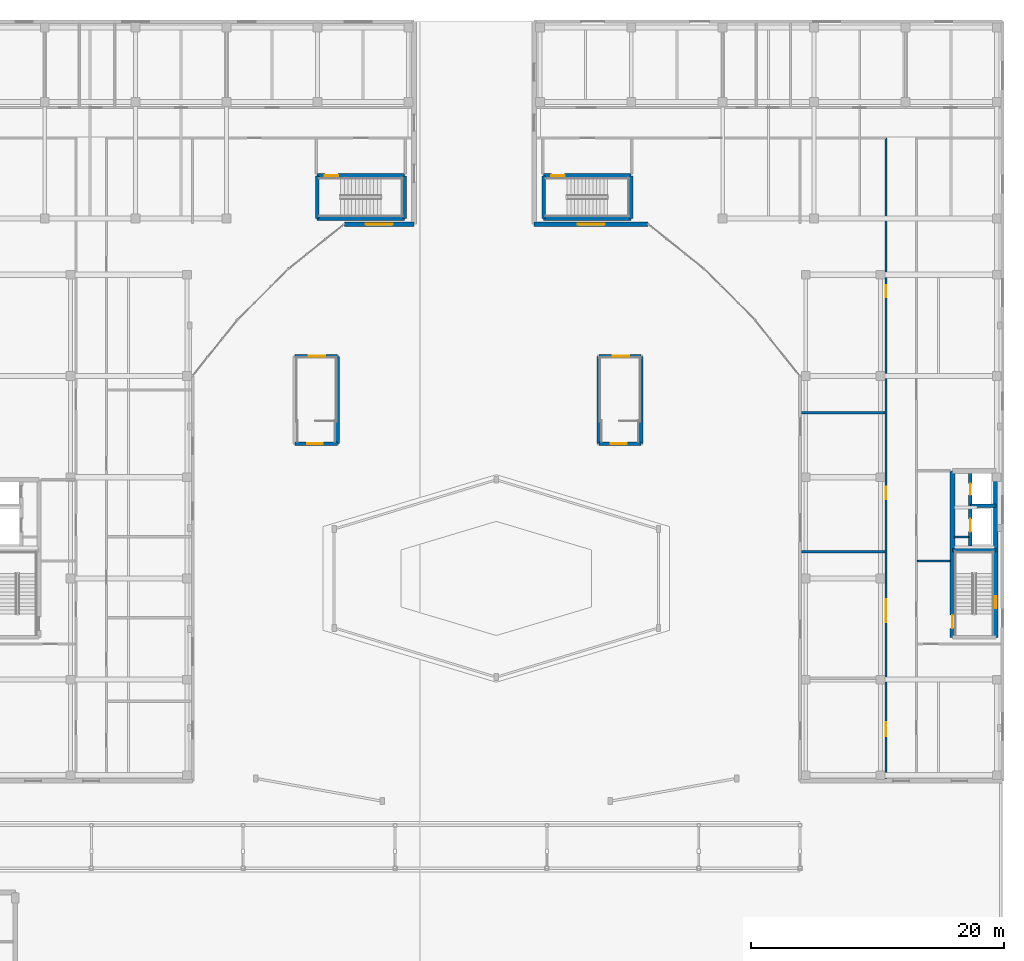
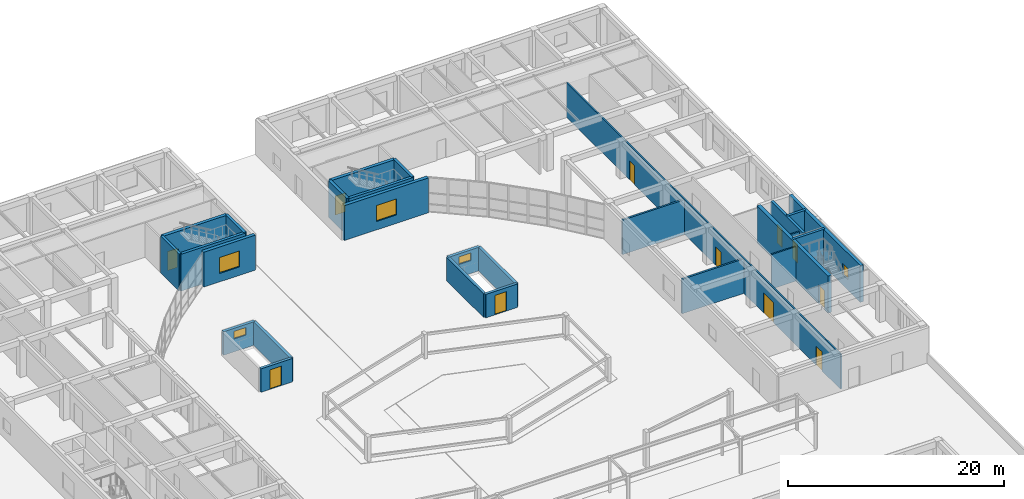
# One storey, part 89 of 114: 27 walls, 11 doors, 5 windows, 16 openings.
"""IFC4 building model written with IfcOpenShell, lengths in metres."""

from ifc_helpers import new_model, si_unit, direction, frame, frame_2d, origin, place, context, subcontext, project, spatial, rectangle, extrude, material, layer, layer_set, type_object, element, fill, save


model = new_model("IFC4")

# Units and contexts
model_context = context("Model", 3, precision=1e-05, world=origin(), true_north=direction((0.0, 1.0)))
body_context = subcontext(model_context, "Body", "Model", "MODEL_VIEW")
ifc_project = project(units=[si_unit("LENGTHUNIT", "METRE"), si_unit("AREAUNIT", "SQUARE_METRE"), si_unit("VOLUMEUNIT", "CUBIC_METRE"), si_unit("PLANEANGLEUNIT", "RADIAN"), si_unit("MASSUNIT", "GRAM", prefix="KILO")], contexts=[model_context])

# Site, building, storey
site_placement = place(None, origin())
site = spatial("IfcSite", under=ifc_project, at=site_placement, CompositionType="ELEMENT")
building_placement = place(site_placement, origin())
building = spatial("IfcBuilding", under=site, at=building_placement, Name="Keldmere Railside Commons", CompositionType="ELEMENT")
storey_placement = place(building_placement, origin())
storey = spatial("IfcBuildingStorey", under=building, at=storey_placement, Name="L00", CompositionType="ELEMENT", Elevation=0.0)

# Walls
ifc_material_1 = material(Name="Concrete H-35 (C35/45)", Category="concrete")
ifc_layer_1 = layer(ifc_material_1, 0.280029296875, Name="Core Shear Wall 280")
ifc_layer_set_1 = layer_set([ifc_layer_1], Name="Concrete H-35 (C35/45)")
wall_type_1 = type_object("IfcWallType", Name="Core Shear Wall 280", PredefinedType="SHEAR", material=ifc_layer_set_1)
wall_1_placement = place(storey_placement, frame((180.06005859375, 74.239990234375, 0.0), z_axis=(0.0, 0.0, 1.0), x_axis=(1.0, 0.0, 0.0)))
element("IfcWall", 1, at=wall_1_placement, inside=storey, type_object=wall_type_1, Name="CSW-2 COREAM-L00-0712", PredefinedType="SHEAR", context=body_context, shape_type="SweptSolid", body=[
    extrude(rectangle(XDim=3.409912109375, YDim=0.280029296875, at=frame_2d((1.705078125, 0.0))), origin(), (0.0, 0.0, 1.0), 4.159912109375),
])
wall_2_placement = place(storey_placement, frame((181.469970703125, 77.75, 0.0), z_axis=(0.0, 0.0, 1.0), x_axis=(1.0, 0.0, 0.0)))
element("IfcWall", 2, at=wall_2_placement, inside=storey, type_object=wall_type_1, Name="CSW-2 COREAL-L00-0713", PredefinedType="SHEAR", context=body_context, shape_type="SweptSolid", body=[
    extrude(rectangle(XDim=2.0, YDim=0.280029296875, at=frame_2d((1.0, 0.0))), origin(), (0.0, 0.0, 1.0), 4.159912109375),
])

# Wall, openings, doors
wall_3_placement = place(storey_placement, frame((181.469970703125, 74.550048828125, 0.0), z_axis=(0.0, 0.0, 1.0), x_axis=(0.0, 1.0, 0.0)))
wall_3 = element("IfcWall", 3, at=wall_3_placement, inside=storey, type_object=wall_type_1, Name="CSW-2 LSHA-L00-0714", PredefinedType="SHEAR", context=body_context, shape_type="SweptSolid", body=[
    extrude(rectangle(XDim=5.949951171875, YDim=0.280029296875, at=frame_2d((2.97509765625, 0.0))), origin(), (0.0, 0.0, 1.0), 4.159912109375),
])
opening_1_placement = place(wall_3_placement, frame((1.14990234375, 0.0, 0.0)))
opening_1 = element("IfcOpeningElement", 4, at=opening_1_placement, cuts=wall_3, Name="Opening LD-1", PredefinedType="OPENING", context=body_context, shape_type="SweptSolid", body=[
    extrude(rectangle(XDim=1.0, YDim=2.14990234375, at=frame_2d((0.5, 1.074951171875))), frame((0.0, 0.14990234375, 0.0), z_axis=(0.0, -1.0, 0.0), x_axis=(1.0, 0.0, 0.0)), (0.0, 0.0, 1.0), 0.300048828125),
])
opening_2_placement = place(wall_3_placement, frame((4.050048828125, 0.0, 0.0)))
opening_2 = element("IfcOpeningElement", 5, at=opening_2_placement, cuts=wall_3, Name="Opening LD-2", PredefinedType="OPENING", context=body_context, shape_type="SweptSolid", body=[
    extrude(rectangle(XDim=0.89990234375, YDim=2.14990234375, at=frame_2d((0.449951171875, 1.074951171875))), frame((0.0, 0.14990234375, 0.0), z_axis=(0.0, -1.0, 0.0), x_axis=(1.0, 0.0, 0.0)), (0.0, 0.0, 1.0), 0.300048828125),
])
ifc_material_2 = material(Name="Steel F-24 (S235)", Category="steel")
door_type_1 = type_object("IfcDoorType", Name="Firefighting Stretcher Lift Landing Door 1000x2150", OperationType="SLIDING_TO_LEFT", PredefinedType="DOOR", material=ifc_material_2)
door_1_placement = place(opening_1_placement, origin())
door_1 = element("IfcDoor", 6, at=door_1_placement, inside=storey, type_object=door_type_1, Name="LD-1 A L00", OperationType="SLIDING_TO_LEFT", OverallHeight=2.14990234375, OverallWidth=1.0, PredefinedType="DOOR", context=body_context, shape_type="SweptSolid", body=[
    extrude(rectangle(XDim=1.0, YDim=2.14990234375, at=frame_2d((0.5, 1.074951171875))), frame((0.0, 0.02490234375, 0.0), z_axis=(0.0, -1.0, 0.0), x_axis=(1.0, 0.0, 0.0)), (0.0, 0.0, 1.0), 0.050048828125),
])
fill(opening_1, door_1)
door_type_2 = type_object("IfcDoorType", Name="Passenger Lift Sliding Landing Door 900x2150", OperationType="SLIDING_TO_RIGHT", PredefinedType="DOOR", material=ifc_material_2)
door_2_placement = place(opening_2_placement, origin())
door_2 = element("IfcDoor", 7, at=door_2_placement, inside=storey, type_object=door_type_2, Name="LD-2 A L00", OperationType="SLIDING_TO_RIGHT", OverallHeight=2.14990234375, OverallWidth=0.89990234375, PredefinedType="DOOR", context=body_context, shape_type="SweptSolid", body=[
    extrude(rectangle(XDim=0.89990234375, YDim=2.14990234375, at=frame_2d((0.449951171875, 1.074951171875))), frame((0.0, 0.02490234375, 0.0), z_axis=(0.0, -1.0, 0.0), x_axis=(1.0, 0.0, 0.0)), (0.0, 0.0, 1.0), 0.050048828125),
])
fill(opening_2, door_2)

# Wall, opening, door
ifc_material_3 = material(Name="Concrete H-40 (C40/50)", Category="concrete")
ifc_layer_2 = layer(ifc_material_3, 0.3798828125, Name="Core Shear Wall 380")
ifc_layer_set_2 = layer_set([ifc_layer_2], Name="Concrete H-40 (C40/50)")
wall_type_2 = type_object("IfcWallType", Name="Core Shear Wall 380", PredefinedType="SHEAR", material=ifc_layer_set_2)
wall_4_placement = place(storey_placement, frame((180.06005859375, 67.35009765625, 0.0), z_axis=(0.0, 0.0, 1.0), x_axis=(0.0, 1.0, 0.0)))
wall_4 = element("IfcWall", 8, at=wall_4_placement, inside=storey, type_object=wall_type_2, Name="CW-CORE COREAW-L00-0708", PredefinedType="SHEAR", context=body_context, shape_type="SweptSolid", body=[
    extrude(rectangle(XDim=13.14990234375, YDim=0.3798828125, at=frame_2d((6.574951171875, 0.0))), origin(), (0.0, 0.0, 1.0), 4.159912109375),
])
opening_3_placement = place(wall_4_placement, frame((0.699951171875, 0.0, 0.0)))
opening_3 = element("IfcOpeningElement", 9, at=opening_3_placement, cuts=wall_4, Name="Opening FD-1", PredefinedType="OPENING", context=body_context, shape_type="SweptSolid", body=[
    extrude(rectangle(XDim=1.050048828125, YDim=2.14990234375, at=frame_2d((0.52490234375, 1.074951171875))), frame((0.0, 0.199951171875, 0.0), z_axis=(0.0, -1.0, 0.0), x_axis=(1.0, 0.0, 0.0)), (0.0, 0.0, 1.0), 0.39990234375),
])
door_type_3 = type_object("IfcDoorType", Name="Stair Core Fire Door 1050x2150", OperationType="NOTDEFINED", PredefinedType="DOOR", material=ifc_material_2)
door_3_placement = place(opening_3_placement, origin())
door_3 = element("IfcDoor", 10, at=door_3_placement, inside=storey, type_object=door_type_3, Name="FD-1 A1 L00", OperationType="SINGLE_SWING_LEFT", OverallHeight=2.14990234375, OverallWidth=1.050048828125, PredefinedType="DOOR", context=body_context, shape_type="SweptSolid", body=[
    extrude(rectangle(XDim=1.050048828125, YDim=2.14990234375, at=frame_2d((0.52490234375, 1.074951171875))), frame((0.0, 0.02490234375, 0.0), z_axis=(0.0, -1.0, 0.0), x_axis=(1.0, 0.0, 0.0)), (0.0, 0.0, 1.0), 0.050048828125),
])
fill(opening_3, door_3)

# Wall, openings, doors
ifc_material_4 = material(Name="Acoustic Gypsum Board Partition", Category="gypsum")
ifc_layer_3 = layer(ifc_material_4, 0.159912109375, Name="Corridor Fire Partition 160")
ifc_layer_set_3 = layer_set([ifc_layer_3], Name="Acoustic Gypsum Board Partition")
wall_type_3 = type_object("IfcWallType", Name="Corridor Fire Partition 160", PredefinedType="PARTITIONING", material=ifc_layer_set_3)
wall_5_placement = place(storey_placement, frame((174.800048828125, 56.179931640625, 0.0), z_axis=(0.0, 0.0, 1.0), x_axis=(0.0, 1.0, 0.0)))
wall_5 = element("IfcWall", 11, at=wall_5_placement, inside=storey, type_object=wall_type_3, Name="IW-2 IW-L00-1404", PredefinedType="PARTITIONING", context=body_context, shape_type="SweptSolid", body=[
    extrude(rectangle(XDim=50.6201171875, YDim=0.159912109375, at=frame_2d((25.31005859375, 0.0))), origin(), (0.0, 0.0, 1.0), 3.89501953125),
])
opening_4_placement = place(wall_5_placement, frame((3.364990234375, 0.0, 0.0)))
opening_4 = element("IfcOpeningElement", 12, at=opening_4_placement, cuts=wall_5, Name="Opening FD-2", PredefinedType="OPENING", context=body_context, shape_type="SweptSolid", body=[
    extrude(rectangle(XDim=1.10009765625, YDim=2.14990234375, at=frame_2d((0.550048828125, 1.074951171875))), frame((0.0, 0.08984375, 0.0), z_axis=(0.0, -1.0, 0.0), x_axis=(1.0, 0.0, 0.0)), (0.0, 0.0, 1.0), 0.179931640625),
])
opening_5_placement = place(wall_5_placement, frame((12.3701171875, 0.0, 0.0)))
opening_5 = element("IfcOpeningElement", 13, at=opening_5_placement, cuts=wall_5, Name="Opening FD-6", PredefinedType="OPENING", context=body_context, shape_type="SweptSolid", body=[
    extrude(rectangle(XDim=1.800048828125, YDim=2.25, at=frame_2d((0.89990234375, 1.125))), frame((0.0, 0.08984375, 0.0), z_axis=(0.0, -1.0, 0.0), x_axis=(1.0, 0.0, 0.0)), (0.0, 0.0, 1.0), 0.179931640625),
])
opening_6_placement = place(wall_5_placement, frame((22.070068359375, 0.0, 0.0)))
opening_6 = element("IfcOpeningElement", 14, at=opening_6_placement, cuts=wall_5, Name="Opening FD-9", PredefinedType="OPENING", context=body_context, shape_type="SweptSolid", body=[
    extrude(rectangle(XDim=1.0, YDim=2.10009765625, at=frame_2d((0.5, 1.050048828125))), frame((0.0, 0.08984375, 0.0), z_axis=(0.0, -1.0, 0.0), x_axis=(1.0, 0.0, 0.0)), (0.0, 0.0, 1.0), 0.179931640625),
])
opening_7_placement = place(wall_5_placement, frame((38.02490234375, 0.0, 0.0)))
opening_7 = element("IfcOpeningElement", 15, at=opening_7_placement, cuts=wall_5, Name="Opening ID-08", PredefinedType="OPENING", context=body_context, shape_type="SweptSolid", body=[
    extrude(rectangle(XDim=0.9599609375, YDim=2.14990234375, at=frame_2d((0.47998046875, 1.074951171875))), frame((0.0, 0.08984375, 0.0), z_axis=(0.0, -1.0, 0.0), x_axis=(1.0, 0.0, 0.0)), (0.0, 0.0, 1.0), 0.179931640625),
])
door_type_4 = type_object("IfcDoorType", Name="Firefighting Lobby Fire Door 1100x2150", OperationType="NOTDEFINED", PredefinedType="DOOR", material=ifc_material_2)
door_4_placement = place(opening_4_placement, origin())
door_4 = element("IfcDoor", 16, at=door_4_placement, inside=storey, type_object=door_type_4, Name="FD-2 IDR-L00-1262", OperationType="SINGLE_SWING_RIGHT", OverallHeight=2.14990234375, OverallWidth=1.10009765625, PredefinedType="DOOR", context=body_context, shape_type="SweptSolid", body=[
    extrude(rectangle(XDim=1.10009765625, YDim=2.14990234375, at=frame_2d((0.550048828125, 1.074951171875))), frame((0.0, 0.02490234375, 0.0), z_axis=(0.0, -1.0, 0.0), x_axis=(1.0, 0.0, 0.0)), (0.0, 0.0, 1.0), 0.050048828125),
])
fill(opening_4, door_4)
ifc_material_5 = material(Name="Engineered Oak Timber", Category="wood")
door_type_5 = type_object("IfcDoorType", Name="Study & Meeting Room Door 960x2150", OperationType="NOTDEFINED", PredefinedType="DOOR", material=ifc_material_5)
door_5_placement = place(opening_7_placement, origin())
door_5 = element("IfcDoor", 17, at=door_5_placement, inside=storey, type_object=door_type_5, Name="ID-08 IDR-L00-1265", OperationType="SINGLE_SWING_LEFT", OverallHeight=2.14990234375, OverallWidth=0.9599609375, PredefinedType="DOOR", context=body_context, shape_type="SweptSolid", body=[
    extrude(rectangle(XDim=0.9599609375, YDim=2.14990234375, at=frame_2d((0.47998046875, 1.074951171875))), frame((0.0, 0.02490234375, 0.0), z_axis=(0.0, -1.0, 0.0), x_axis=(1.0, 0.0, 0.0)), (0.0, 0.0, 1.0), 0.050048828125),
])
fill(opening_7, door_5)
door_type_6 = type_object("IfcDoorType", Name="Transformer & Pump Room Double Fire Door 1800x2250", OperationType="DOUBLE_DOOR_SINGLE_SWING", PredefinedType="DOOR", material=ifc_material_2)
door_6_placement = place(opening_5_placement, origin())
door_6 = element("IfcDoor", 18, at=door_6_placement, inside=storey, type_object=door_type_6, Name="FD-6 IDR-L00-1263", OperationType="DOUBLE_DOOR_SINGLE_SWING", OverallHeight=2.25, OverallWidth=1.800048828125, PredefinedType="DOOR", context=body_context, shape_type="SweptSolid", body=[
    extrude(rectangle(XDim=1.800048828125, YDim=2.25, at=frame_2d((0.89990234375, 1.125))), frame((0.0, 0.02490234375, 0.0), z_axis=(0.0, -1.0, 0.0), x_axis=(1.0, 0.0, 0.0)), (0.0, 0.0, 1.0), 0.050048828125),
])
fill(opening_5, door_6)
door_type_7 = type_object("IfcDoorType", Name="Waste & Storage Fire Door 1000x2100", OperationType="NOTDEFINED", PredefinedType="DOOR", material=ifc_material_2)
door_7_placement = place(opening_6_placement, origin())
door_7 = element("IfcDoor", 19, at=door_7_placement, inside=storey, type_object=door_type_7, Name="FD-9 IDR-L00-1264", OperationType="SINGLE_SWING_RIGHT", OverallHeight=2.10009765625, OverallWidth=1.0, PredefinedType="DOOR", context=body_context, shape_type="SweptSolid", body=[
    extrude(rectangle(XDim=1.0, YDim=2.10009765625, at=frame_2d((0.5, 1.050048828125))), frame((0.0, 0.02490234375, 0.0), z_axis=(0.0, -1.0, 0.0), x_axis=(1.0, 0.0, 0.0)), (0.0, 0.0, 1.0), 0.050048828125),
])
fill(opening_6, door_7)

# Wall, opening, window
ifc_layer_4 = layer(ifc_material_1, 0.360107421875, Name="Exterior Shear Wall 360")
ifc_layer_set_4 = layer_set([ifc_layer_4], Name="Concrete H-35 (C35/45)")
wall_type_4 = type_object("IfcWallType", Name="Exterior Shear Wall 360", PredefinedType="SHEAR", material=ifc_layer_set_4)
wall_6_placement = place(storey_placement, frame((137.5, 100.0, 0.0), z_axis=(0.0, 0.0, 1.0), x_axis=(-1.0, 0.0, 0.0)))
wall_6 = element("IfcWall", 20, at=wall_6_placement, inside=storey, type_object=wall_type_4, Name="ESW-1 EXTB-L00-0578", PredefinedType="SHEAR", context=body_context, shape_type="SweptSolid", body=[
    extrude(rectangle(XDim=5.5, YDim=0.360107421875, at=frame_2d((2.75, 0.0))), origin(), (0.0, 0.0, 1.0), 3.93994140625),
])
opening_8_placement = place(wall_6_placement, frame((1.675048828125, 0.0, 0.949951171875)))
opening_8 = element("IfcOpeningElement", 21, at=opening_8_placement, cuts=wall_6, Name="Opening WN-41", PredefinedType="OPENING", context=body_context, shape_type="SweptSolid", body=[
    extrude(rectangle(XDim=2.14990234375, YDim=1.800048828125, at=frame_2d((1.074951171875, 0.89990234375))), frame((0.0, 0.18994140625, 0.0), z_axis=(0.0, -1.0, 0.0), x_axis=(1.0, 0.0, 0.0)), (0.0, 0.0, 1.0), 0.380126953125),
])
ifc_material_6 = material(Name="Low-E Insulated Double Glazing", Category="glass")
window_type_1 = type_object("IfcWindowType", Name="North Plinth Gallery Window 2150x1800", PartitioningType="SINGLE_PANEL", PredefinedType="WINDOW", material=ifc_material_6)
window_1_placement = place(opening_8_placement, origin())
window_1 = element("IfcWindow", 22, at=window_1_placement, inside=storey, type_object=window_type_1, Name="WN-41 WIN-L00-0352", OverallHeight=1.800048828125, OverallWidth=2.14990234375, PartitioningType="SINGLE_PANEL", PredefinedType="WINDOW", context=body_context, shape_type="SweptSolid", body=[
    extrude(rectangle(XDim=2.14990234375, YDim=1.800048828125, at=frame_2d((1.074951171875, 0.89990234375))), frame((0.0, 0.030029296875, 0.0), z_axis=(0.0, -1.0, 0.0), x_axis=(1.0, 0.0, 0.0)), (0.0, 0.0, 1.0), 0.06005859375),
])
fill(opening_8, window_1)

wall_7_placement = place(storey_placement, frame((156.0, 100.0, 0.0), z_axis=(0.0, 0.0, 1.0), x_axis=(-1.0, 0.0, 0.0)))
wall_7 = element("IfcWall", 23, at=wall_7_placement, inside=storey, type_object=wall_type_4, Name="ESW-1 EXTA-L00-0880", PredefinedType="SHEAR", context=body_context, shape_type="SweptSolid", body=[
    extrude(rectangle(XDim=9.0, YDim=0.360107421875, at=frame_2d((4.5, 0.0))), origin(), (0.0, 0.0, 1.0), 3.93994140625),
])
opening_9_placement = place(wall_7_placement, frame((3.425048828125, 0.0, 0.949951171875)))
opening_9 = element("IfcOpeningElement", 24, at=opening_9_placement, cuts=wall_7, Name="Opening WN-41", PredefinedType="OPENING", context=body_context, shape_type="SweptSolid", body=[
    extrude(rectangle(XDim=2.14990234375, YDim=1.800048828125, at=frame_2d((1.074951171875, 0.89990234375))), frame((0.0, 0.18994140625, 0.0), z_axis=(0.0, -1.0, 0.0), x_axis=(1.0, 0.0, 0.0)), (0.0, 0.0, 1.0), 0.380126953125),
])
window_2_placement = place(opening_9_placement, origin())
window_2 = element("IfcWindow", 25, at=window_2_placement, inside=storey, type_object=window_type_1, Name="WN-41 WIN-L00-0580", OverallHeight=1.800048828125, OverallWidth=2.14990234375, PartitioningType="SINGLE_PANEL", PredefinedType="WINDOW", context=body_context, shape_type="SweptSolid", body=[
    extrude(rectangle(XDim=2.14990234375, YDim=1.800048828125, at=frame_2d((1.074951171875, 0.89990234375))), frame((0.0, 0.030029296875, 0.0), z_axis=(0.0, -1.0, 0.0), x_axis=(1.0, 0.0, 0.0)), (0.0, 0.0, 1.0), 0.06005859375),
])
fill(opening_9, window_2)

# Wall, opening, door
ifc_layer_5 = layer(ifc_material_1, 0.300048828125, Name="Interior Shear Wall 300")
ifc_layer_set_5 = layer_set([ifc_layer_5], Name="Concrete H-35 (C35/45)")
wall_type_5 = type_object("IfcWallType", Name="Interior Shear Wall 300", PredefinedType="SHEAR", material=ifc_layer_set_5)
wall_8_placement = place(storey_placement, frame((131.449951171875, 82.64990234375, 0.0), z_axis=(0.0, 0.0, 1.0), x_axis=(-1.0, 0.0, 0.0)))
wall_8 = element("IfcWall", 26, at=wall_8_placement, inside=storey, type_object=wall_type_5, Name="ISW-2 WAL-ST-B5-L00-S", PredefinedType="SHEAR", context=body_context, shape_type="SweptSolid", body=[
    extrude(rectangle(XDim=3.349853515625, YDim=0.300048828125, at=frame_2d((1.6748046875, 0.0))), origin(), (0.0, 0.0, 1.0), 2.64990234375),
])
opening_10_placement = place(wall_8_placement, frame((1.14990234375, 0.0, 0.0)))
opening_10 = element("IfcOpeningElement", 27, at=opening_10_placement, cuts=wall_8, Name="Opening ED-02", PredefinedType="OPENING", context=body_context, shape_type="SweptSolid", body=[
    extrude(rectangle(XDim=1.25, YDim=2.199951171875, at=frame_2d((0.625, 1.10009765625))), frame((0.0, 0.159912109375, 0.0), z_axis=(0.0, -1.0, 0.0), x_axis=(1.0, 0.0, 0.0)), (0.0, 0.0, 1.0), 0.320068359375),
])
door_type_8 = type_object("IfcDoorType", Name="Stair Final Escape Exit Door 1250x2200", OperationType="NOTDEFINED", PredefinedType="DOOR", material=ifc_material_2)
door_8_placement = place(opening_10_placement, origin())
door_8 = element("IfcDoor", 28, at=door_8_placement, inside=storey, type_object=door_type_8, Name="ED-02 ST-B5 Court Exit", OperationType="SINGLE_SWING_LEFT", OverallHeight=2.199951171875, OverallWidth=1.25, PredefinedType="DOOR", context=body_context, shape_type="SweptSolid", body=[
    extrude(rectangle(XDim=1.25, YDim=2.199951171875, at=frame_2d((0.625, 1.10009765625))), frame((0.0, 0.02490234375, 0.0), z_axis=(0.0, -1.0, 0.0), x_axis=(1.0, 0.0, 0.0)), (0.0, 0.0, 1.0), 0.050048828125),
])
fill(opening_10, door_8)

# Wall, opening, window
wall_9_placement = place(storey_placement, frame((128.10009765625, 89.550048828125, 0.0), z_axis=(0.0, 0.0, 1.0), x_axis=(1.0, 0.0, 0.0)))
wall_9 = element("IfcWall", 29, at=wall_9_placement, inside=storey, type_object=wall_type_5, Name="ISW-2 WAL-ST-B5-L00-N", PredefinedType="SHEAR", context=body_context, shape_type="SweptSolid", body=[
    extrude(rectangle(XDim=3.349853515625, YDim=0.300048828125, at=frame_2d((1.6748046875, 0.0))), origin(), (0.0, 0.0, 1.0), 2.64990234375),
])
opening_11_placement = place(wall_9_placement, frame((1.10009765625, 0.0, 1.449951171875)))
opening_11 = element("IfcOpeningElement", 30, at=opening_11_placement, cuts=wall_9, Name="Opening WN-37", PredefinedType="OPENING", context=body_context, shape_type="SweptSolid", body=[
    extrude(rectangle(XDim=1.300048828125, YDim=0.85009765625, at=frame_2d((0.64990234375, 0.425048828125))), frame((0.0, 0.159912109375, 0.0), z_axis=(0.0, -1.0, 0.0), x_axis=(1.0, 0.0, 0.0)), (0.0, 0.0, 1.0), 0.320068359375),
])
window_type_2 = type_object("IfcWindowType", Name="Headhouse Louvre-Glazed Clerestory 1300x850", PartitioningType="SINGLE_PANEL", PredefinedType="WINDOW", material=ifc_material_6)
window_3_placement = place(opening_11_placement, origin())
window_3 = element("IfcWindow", 31, at=window_3_placement, inside=storey, type_object=window_type_2, Name="WN-37 WIN-L00-0005", OverallHeight=0.85009765625, OverallWidth=1.300048828125, PartitioningType="SINGLE_PANEL", PredefinedType="WINDOW", context=body_context, shape_type="SweptSolid", body=[
    extrude(rectangle(XDim=1.300048828125, YDim=0.85009765625, at=frame_2d((0.64990234375, 0.425048828125))), frame((0.0, 0.030029296875, 0.0), z_axis=(0.0, -1.0, 0.0), x_axis=(1.0, 0.0, 0.0)), (0.0, 0.0, 1.0), 0.06005859375),
])
fill(opening_11, window_3)

# Wall
wall_10_placement = place(storey_placement, frame((131.449951171875, 89.550048828125, 0.0), z_axis=(0.0, 0.0, 1.0), x_axis=(0.0, -1.0, 0.0)))
element("IfcWall", 32, at=wall_10_placement, inside=storey, type_object=wall_type_5, Name="ISW-2 WAL-ST-B5-L00-E", PredefinedType="SHEAR", context=body_context, shape_type="SweptSolid", body=[
    extrude(rectangle(XDim=6.900146484375, YDim=0.300048828125, at=frame_2d((3.4501953125, 0.0))), origin(), (0.0, 0.0, 1.0), 2.64990234375),
])

# Wall, opening, door
wall_11_placement = place(storey_placement, frame((155.449951171875, 82.64990234375, 0.0), z_axis=(0.0, 0.0, 1.0), x_axis=(-1.0, 0.0, 0.0)))
wall_11 = element("IfcWall", 33, at=wall_11_placement, inside=storey, type_object=wall_type_5, Name="ISW-2 WAL-ST-B6-L00-S", PredefinedType="SHEAR", context=body_context, shape_type="SweptSolid", body=[
    extrude(rectangle(XDim=3.349853515625, YDim=0.300048828125, at=frame_2d((1.6748046875, 0.0))), origin(), (0.0, 0.0, 1.0), 2.64990234375),
])
opening_12_placement = place(wall_11_placement, frame((1.14990234375, 0.0, 0.0)))
opening_12 = element("IfcOpeningElement", 34, at=opening_12_placement, cuts=wall_11, Name="Opening ED-02", PredefinedType="OPENING", context=body_context, shape_type="SweptSolid", body=[
    extrude(rectangle(XDim=1.25, YDim=2.199951171875, at=frame_2d((0.625, 1.10009765625))), frame((0.0, 0.159912109375, 0.0), z_axis=(0.0, -1.0, 0.0), x_axis=(1.0, 0.0, 0.0)), (0.0, 0.0, 1.0), 0.320068359375),
])
door_9_placement = place(opening_12_placement, origin())
door_9 = element("IfcDoor", 35, at=door_9_placement, inside=storey, type_object=door_type_8, Name="ED-02 ST-B6 Court Exit", OperationType="SINGLE_SWING_LEFT", OverallHeight=2.199951171875, OverallWidth=1.25, PredefinedType="DOOR", context=body_context, shape_type="SweptSolid", body=[
    extrude(rectangle(XDim=1.25, YDim=2.199951171875, at=frame_2d((0.625, 1.10009765625))), frame((0.0, 0.02490234375, 0.0), z_axis=(0.0, -1.0, 0.0), x_axis=(1.0, 0.0, 0.0)), (0.0, 0.0, 1.0), 0.050048828125),
])
fill(opening_12, door_9)

# Wall
wall_12_placement = place(storey_placement, frame((152.10009765625, 82.64990234375, 0.0), z_axis=(0.0, 0.0, 1.0), x_axis=(0.0, 1.0, 0.0)))
element("IfcWall", 36, at=wall_12_placement, inside=storey, type_object=wall_type_5, Name="ISW-2 WAL-ST-B6-L00-W", PredefinedType="SHEAR", context=body_context, shape_type="SweptSolid", body=[
    extrude(rectangle(XDim=6.900146484375, YDim=0.300048828125, at=frame_2d((3.4501953125, 0.0))), origin(), (0.0, 0.0, 1.0), 2.64990234375),
])

# Wall, opening, window
wall_13_placement = place(storey_placement, frame((152.10009765625, 89.550048828125, 0.0), z_axis=(0.0, 0.0, 1.0), x_axis=(1.0, 0.0, 0.0)))
wall_13 = element("IfcWall", 37, at=wall_13_placement, inside=storey, type_object=wall_type_5, Name="ISW-2 WAL-ST-B6-L00-N", PredefinedType="SHEAR", context=body_context, shape_type="SweptSolid", body=[
    extrude(rectangle(XDim=3.349853515625, YDim=0.300048828125, at=frame_2d((1.6748046875, 0.0))), origin(), (0.0, 0.0, 1.0), 2.64990234375),
])
opening_13_placement = place(wall_13_placement, frame((1.10009765625, 0.0, 1.449951171875)))
opening_13 = element("IfcOpeningElement", 38, at=opening_13_placement, cuts=wall_13, Name="Opening WN-37", PredefinedType="OPENING", context=body_context, shape_type="SweptSolid", body=[
    extrude(rectangle(XDim=1.300048828125, YDim=0.85009765625, at=frame_2d((0.64990234375, 0.425048828125))), frame((0.0, 0.159912109375, 0.0), z_axis=(0.0, -1.0, 0.0), x_axis=(1.0, 0.0, 0.0)), (0.0, 0.0, 1.0), 0.320068359375),
])
window_4_placement = place(opening_13_placement, origin())
window_4 = element("IfcWindow", 39, at=window_4_placement, inside=storey, type_object=window_type_2, Name="WN-37 WIN-L00-0006", OverallHeight=0.85009765625, OverallWidth=1.300048828125, PartitioningType="SINGLE_PANEL", PredefinedType="WINDOW", context=body_context, shape_type="SweptSolid", body=[
    extrude(rectangle(XDim=1.300048828125, YDim=0.85009765625, at=frame_2d((0.64990234375, 0.425048828125))), frame((0.0, 0.030029296875, 0.0), z_axis=(0.0, -1.0, 0.0), x_axis=(1.0, 0.0, 0.0)), (0.0, 0.0, 1.0), 0.06005859375),
])
fill(opening_13, window_4)

# Walls
wall_14_placement = place(storey_placement, frame((155.449951171875, 89.550048828125, 0.0), z_axis=(0.0, 0.0, 1.0), x_axis=(0.0, -1.0, 0.0)))
element("IfcWall", 40, at=wall_14_placement, inside=storey, type_object=wall_type_5, Name="ISW-2 WAL-ST-B6-L00-E", PredefinedType="SHEAR", context=body_context, shape_type="SweptSolid", body=[
    extrude(rectangle(XDim=6.900146484375, YDim=0.300048828125, at=frame_2d((3.4501953125, 0.0))), origin(), (0.0, 0.0, 1.0), 2.64990234375),
])
wall_15_placement = place(storey_placement, frame((129.85009765625, 100.449951171875, 0.0), z_axis=(0.0, 0.0, 1.0), x_axis=(1.0, 0.0, 0.0)))
element("IfcWall", 41, at=wall_15_placement, inside=storey, type_object=wall_type_5, Name="ISW-2 COREB2S-L00-0440", PredefinedType="SHEAR", context=body_context, shape_type="SweptSolid", body=[
    extrude(rectangle(XDim=6.89990234375, YDim=0.300048828125, at=frame_2d((3.449951171875, 0.0))), origin(), (0.0, 0.0, 1.0), 4.159912109375),
])
for number, where, z_axis, x_axis, name in (
    (42, (129.85009765625, 103.820068359375, 0.0), (0.0, 0.0, 1.0), (0.0, -1.0, 0.0), "ISW-2 COREB2W-L00-0442"),
    (43, (136.75, 100.449951171875, 0.0), (0.0, 0.0, 1.0), (0.0, 1.0, 0.0), "ISW-2 COREB2E-L00-0443"),
):
    element("IfcWall", number, at=place(storey_placement, frame(where, z_axis=z_axis, x_axis=x_axis)), inside=storey, type_object=wall_type_5, Name=name, PredefinedType="SHEAR", context=body_context, shape_type="SweptSolid", body=[
        extrude(rectangle(XDim=3.3701171875, YDim=0.300048828125, at=frame_2d((1.68505859375, 0.0))), origin(), (0.0, 0.0, 1.0), 4.159912109375),
    ])
wall_16_placement = place(storey_placement, frame((147.75, 100.449951171875, 0.0), z_axis=(0.0, 0.0, 1.0), x_axis=(1.0, 0.0, 0.0)))
element("IfcWall", 44, at=wall_16_placement, inside=storey, type_object=wall_type_5, Name="ISW-2 COREA2S-L00-0716", PredefinedType="SHEAR", context=body_context, shape_type="SweptSolid", body=[
    extrude(rectangle(XDim=6.89990234375, YDim=0.300048828125, at=frame_2d((3.449951171875, 0.0))), origin(), (0.0, 0.0, 1.0), 4.159912109375),
])
for number, where, z_axis, x_axis, name in (
    (45, (147.75, 103.820068359375, 0.0), (0.0, 0.0, 1.0), (0.0, -1.0, 0.0), "ISW-2 COREA2W-L00-0718"),
    (46, (154.64990234375, 100.449951171875, 0.0), (0.0, 0.0, 1.0), (0.0, 1.0, 0.0), "ISW-2 COREA2E-L00-0719"),
):
    element("IfcWall", number, at=place(storey_placement, frame(where, z_axis=z_axis, x_axis=x_axis)), inside=storey, type_object=wall_type_5, Name=name, PredefinedType="SHEAR", context=body_context, shape_type="SweptSolid", body=[
        extrude(rectangle(XDim=3.3701171875, YDim=0.300048828125, at=frame_2d((1.68505859375, 0.0))), origin(), (0.0, 0.0, 1.0), 4.159912109375),
    ])

# Wall, opening, door
ifc_layer_6 = layer(ifc_material_1, 0.340087890625, Name="Interior Shear Wall 340")
ifc_layer_set_6 = layer_set([ifc_layer_6], Name="Concrete H-35 (C35/45)")
wall_type_6 = type_object("IfcWallType", Name="Interior Shear Wall 340", PredefinedType="SHEAR", material=ifc_layer_set_6)
wall_17_placement = place(storey_placement, frame((136.75, 103.820068359375, 0.0), z_axis=(0.0, 0.0, 1.0), x_axis=(-1.0, 0.0, 0.0)))
wall_17 = element("IfcWall", 47, at=wall_17_placement, inside=storey, type_object=wall_type_6, Name="ISW-1 COREB2N-L00-0441", PredefinedType="SHEAR", context=body_context, shape_type="SweptSolid", body=[
    extrude(rectangle(XDim=6.89990234375, YDim=0.340087890625, at=frame_2d((3.449951171875, 0.0))), origin(), (0.0, 0.0, 1.0), 4.159912109375),
])
opening_14_placement = place(wall_17_placement, frame((5.25, 0.0, 0.0)))
opening_14 = element("IfcOpeningElement", 48, at=opening_14_placement, cuts=wall_17, Name="Opening FD-1", PredefinedType="OPENING", context=body_context, shape_type="SweptSolid", body=[
    extrude(rectangle(XDim=1.050048828125, YDim=2.14990234375, at=frame_2d((0.52490234375, 1.074951171875))), frame((0.0, 0.179931640625, 0.0), z_axis=(0.0, -1.0, 0.0), x_axis=(1.0, 0.0, 0.0)), (0.0, 0.0, 1.0), 0.360107421875),
])
door_10_placement = place(opening_14_placement, origin())
door_10 = element("IfcDoor", 49, at=door_10_placement, inside=storey, type_object=door_type_3, Name="FD-1 B2 L00", OperationType="SINGLE_SWING_RIGHT", OverallHeight=2.14990234375, OverallWidth=1.050048828125, PredefinedType="DOOR", context=body_context, shape_type="SweptSolid", body=[
    extrude(rectangle(XDim=1.050048828125, YDim=2.14990234375, at=frame_2d((0.52490234375, 1.074951171875))), frame((0.0, 0.02490234375, 0.0), z_axis=(0.0, -1.0, 0.0), x_axis=(1.0, 0.0, 0.0)), (0.0, 0.0, 1.0), 0.050048828125),
])
fill(opening_14, door_10)

# Wall, opening, window
wall_18_placement = place(storey_placement, frame((183.469970703125, 80.5, 0.0), z_axis=(0.0, 0.0, 1.0), x_axis=(0.0, -1.0, 0.0)))
wall_18 = element("IfcWall", 50, at=wall_18_placement, inside=storey, type_object=wall_type_6, Name="ISW-1 COREAE-L00-0710", PredefinedType="SHEAR", context=body_context, shape_type="SweptSolid", body=[
    extrude(rectangle(XDim=13.14990234375, YDim=0.340087890625, at=frame_2d((6.574951171875, 0.0))), origin(), (0.0, 0.0, 1.0), 4.159912109375),
])
opening_15_placement = place(wall_18_placement, frame((9.89990234375, 0.0, 1.199951171875)))
opening_15 = element("IfcOpeningElement", 51, at=opening_15_placement, cuts=wall_18, Name="Opening WN-17", PredefinedType="OPENING", context=body_context, shape_type="SweptSolid", body=[
    extrude(rectangle(XDim=0.949951171875, YDim=1.25, at=frame_2d((0.47509765625, 0.625))), frame((0.0, 0.179931640625, 0.0), z_axis=(0.0, -1.0, 0.0), x_axis=(1.0, 0.0, 0.0)), (0.0, 0.0, 1.0), 0.360107421875),
])
window_type_3 = type_object("IfcWindowType", Name="Stair Core Natural Smoke-Vent Window 950x1250", PartitioningType="SINGLE_PANEL", PredefinedType="WINDOW", material=ifc_material_6)
window_5_placement = place(opening_15_placement, origin())
window_5 = element("IfcWindow", 52, at=window_5_placement, inside=storey, type_object=window_type_3, Name="WN-17 WIN-L00-0556", OverallHeight=1.25, OverallWidth=0.949951171875, PartitioningType="SINGLE_PANEL", PredefinedType="WINDOW", context=body_context, shape_type="SweptSolid", body=[
    extrude(rectangle(XDim=0.949951171875, YDim=1.25, at=frame_2d((0.47509765625, 0.625))), frame((0.0, 0.030029296875, 0.0), z_axis=(0.0, -1.0, 0.0), x_axis=(1.0, 0.0, 0.0)), (0.0, 0.0, 1.0), 0.06005859375),
])
fill(opening_15, window_5)

# Wall, opening, door
wall_19_placement = place(storey_placement, frame((154.64990234375, 103.820068359375, 0.0), z_axis=(0.0, 0.0, 1.0), x_axis=(-1.0, 0.0, 0.0)))
wall_19 = element("IfcWall", 53, at=wall_19_placement, inside=storey, type_object=wall_type_6, Name="ISW-1 COREA2N-L00-0717", PredefinedType="SHEAR", context=body_context, shape_type="SweptSolid", body=[
    extrude(rectangle(XDim=6.89990234375, YDim=0.340087890625, at=frame_2d((3.449951171875, 0.0))), origin(), (0.0, 0.0, 1.0), 4.159912109375),
])
opening_16_placement = place(wall_19_placement, frame((5.25, 0.0, 0.0)))
opening_16 = element("IfcOpeningElement", 54, at=opening_16_placement, cuts=wall_19, Name="Opening FD-1", PredefinedType="OPENING", context=body_context, shape_type="SweptSolid", body=[
    extrude(rectangle(XDim=1.050048828125, YDim=2.14990234375, at=frame_2d((0.52490234375, 1.074951171875))), frame((0.0, 0.179931640625, 0.0), z_axis=(0.0, -1.0, 0.0), x_axis=(1.0, 0.0, 0.0)), (0.0, 0.0, 1.0), 0.360107421875),
])
door_11_placement = place(opening_16_placement, origin())
door_11 = element("IfcDoor", 55, at=door_11_placement, inside=storey, type_object=door_type_3, Name="FD-1 A2 L00", OperationType="SINGLE_SWING_RIGHT", OverallHeight=2.14990234375, OverallWidth=1.050048828125, PredefinedType="DOOR", context=body_context, shape_type="SweptSolid", body=[
    extrude(rectangle(XDim=1.050048828125, YDim=2.14990234375, at=frame_2d((0.52490234375, 1.074951171875))), frame((0.0, 0.02490234375, 0.0), z_axis=(0.0, -1.0, 0.0), x_axis=(1.0, 0.0, 0.0)), (0.0, 0.0, 1.0), 0.050048828125),
])
fill(opening_16, door_11)

# Walls
ifc_layer_7 = layer(ifc_material_4, 0.14990234375, Name="Lobby Rated Partition 150")
ifc_layer_set_7 = layer_set([ifc_layer_7], Name="Acoustic Gypsum Board Partition")
wall_type_7 = type_object("IfcWallType", Name="Lobby Rated Partition 150", PredefinedType="PARTITIONING", material=ifc_layer_set_7)
wall_20_placement = place(storey_placement, frame((180.199951171875, 75.280029296875, 0.0), z_axis=(0.0, 0.0, 1.0), x_axis=(1.0, 0.0, 0.0)))
element("IfcWall", 56, at=wall_20_placement, inside=storey, type_object=wall_type_7, Name="IW-3 RSRNA-L00-0715", PredefinedType="PARTITIONING", context=body_context, shape_type="SweptSolid", body=[
    extrude(rectangle(XDim=1.130126953125, YDim=0.14990234375, at=frame_2d((0.56494140625, 0.0))), origin(), (0.0, 0.0, 1.0), 3.909912109375),
])
wall_21_placement = place(storey_placement, frame((177.280029296875, 73.3798828125, 0.0), z_axis=(0.0, 0.0, 1.0), x_axis=(1.0, 0.0, 0.0)))
element("IfcWall", 57, at=wall_21_placement, inside=storey, type_object=wall_type_7, Name="IW-3 IW-L00-1402", PredefinedType="PARTITIONING", context=body_context, shape_type="SweptSolid", body=[
    extrude(rectangle(XDim=2.590087890625, YDim=0.14990234375, at=frame_2d((1.294921875, 0.0))), origin(), (0.0, 0.0, 1.0), 3.89501953125),
])
ifc_material_7 = material(Name="Terracotta Brick Masonry", Category="masonry")
ifc_layer_8 = layer(ifc_material_7, 0.199951171875, Name="Plant Masonry Infill Wall 200")
ifc_layer_set_8 = layer_set([ifc_layer_8], Name="Terracotta Brick Masonry")
wall_type_8 = type_object("IfcWallType", Name="Plant Masonry Infill Wall 200", PredefinedType="SOLIDWALL", material=ifc_layer_set_8)
for number, where, z_axis, x_axis, name in (
    (58, (168.1201171875, 74.10009765625, 0.0), (0.0, 0.0, 1.0), (1.0, 0.0, 0.0), "MW-1 IW-L00-1413"),
    (59, (168.1201171875, 85.10009765625, 0.0), (0.0, 0.0, 1.0), (1.0, 0.0, 0.0), "MW-1 IW-L00-1414"),
):
    element("IfcWall", number, at=place(storey_placement, frame(where, z_axis=z_axis, x_axis=x_axis)), inside=storey, type_object=wall_type_8, Name=name, PredefinedType="SOLIDWALL", context=body_context, shape_type="SweptSolid", body=[
        extrude(rectangle(XDim=6.599853515625, YDim=0.199951171875, at=frame_2d((3.2998046875, 0.0))), origin(), (0.0, 0.0, 1.0), 3.89501953125),
    ])

save(model, "model.ifc")
